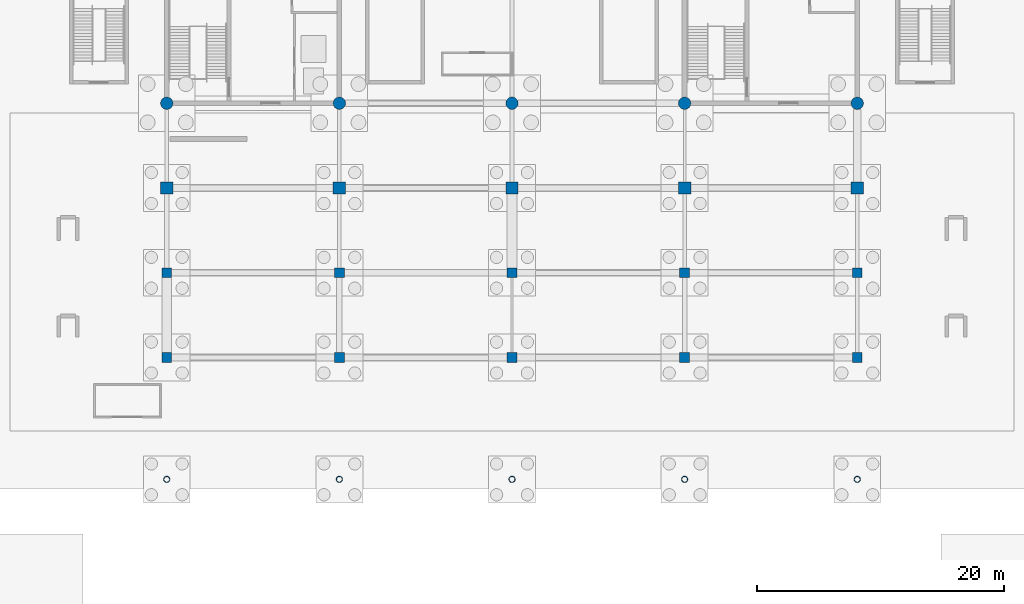
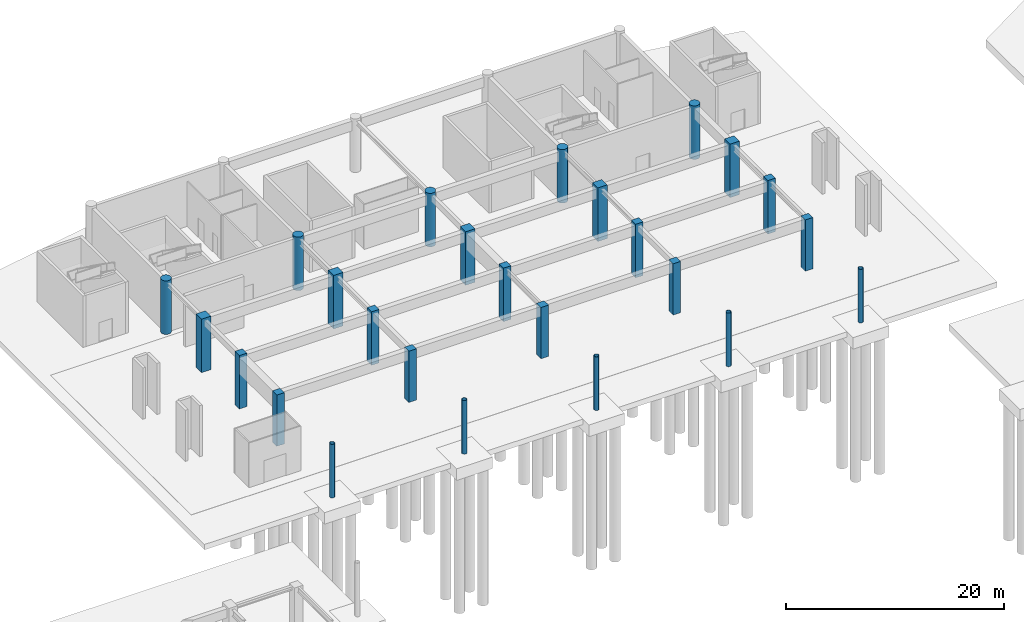
# One storey, part 25 of 62: 25 columns.
"""IFC4 building model written with IfcOpenShell, lengths in metres."""

from ifc_helpers import new_model, si_unit, direction, frame, origin, origin_2d, place, context, subcontext, project, spatial, rectangle, circle, hollow_circle, extrude, material, material_profile, profile_set, type_object, element, save


model = new_model("IFC4")

# Units and contexts
model_context = context("Model", 3, precision=1e-05, world=origin(), true_north=direction((0.0, 1.0)))
body_context = subcontext(model_context, "Body", "Model", "MODEL_VIEW")
ifc_project = project(units=[si_unit("LENGTHUNIT", "METRE"), si_unit("AREAUNIT", "SQUARE_METRE"), si_unit("VOLUMEUNIT", "CUBIC_METRE"), si_unit("PLANEANGLEUNIT", "RADIAN"), si_unit("MASSUNIT", "GRAM", prefix="KILO")], contexts=[model_context])

# Site, building, storey
site_placement = place(None, origin())
site = spatial("IfcSite", under=ifc_project, at=site_placement, CompositionType="ELEMENT")
building_placement = place(site_placement, origin())
building = spatial("IfcBuilding", under=site, at=building_placement, Name="Linyun Crest Stadium", CompositionType="ELEMENT")
storey_placement = place(building_placement, frame((0.0, 0.0, -6.0)))
storey = spatial("IfcBuildingStorey", under=building, at=storey_placement, Name="B1", CompositionType="ELEMENT", Elevation=-6.0)

# Columns
ifc_material_1 = material(Name="Concrete C50", Category="concrete")
ifc_material_profile_1 = material_profile(ifc_material_1, rectangle(XDim=0.800048828125, YDim=0.800048828125, at=origin_2d()), Name="RC 800x800")
ifc_profile_set_1 = profile_set([ifc_material_profile_1], Name="Concrete C50")
column_type_1 = type_object("IfcColumnType", Name="C03", PredefinedType="COLUMN", material=ifc_profile_set_1)
column_1_placement = place(storey_placement, frame((-28.0, 70.875, 0.0), z_axis=(0.0, 0.0, 1.0), x_axis=(1.0, 0.0, 0.0)))
element("IfcColumn", 1, at=column_1_placement, inside=storey, type_object=column_type_1, Name="Column C03 B1 569", PredefinedType="COLUMN", context=body_context, shape_type="SweptSolid", body=[
    extrude(rectangle(XDim=0.800048828125, YDim=0.800048828125, at=origin_2d()), origin(), (0.0, 0.0, 1.0), 5.75),
])
column_2_placement = place(storey_placement, frame((-28.0, 77.75, 0.0), z_axis=(0.0, 0.0, 1.0), x_axis=(1.0, 0.0, 0.0)))
element("IfcColumn", 2, at=column_2_placement, inside=storey, type_object=column_type_1, Name="Column C03 B1 570", PredefinedType="COLUMN", context=body_context, shape_type="SweptSolid", body=[
    extrude(rectangle(XDim=0.800048828125, YDim=0.800048828125, at=origin_2d()), origin(), (0.0, 0.0, 1.0), 5.998046875),
])
column_3_placement = place(storey_placement, frame((-14.0, 70.875, 0.0), z_axis=(0.0, 0.0, 1.0), x_axis=(1.0, 0.0, 0.0)))
element("IfcColumn", 3, at=column_3_placement, inside=storey, type_object=column_type_1, Name="Column C03 B1 590", PredefinedType="COLUMN", context=body_context, shape_type="SweptSolid", body=[
    extrude(rectangle(XDim=0.800048828125, YDim=0.800048828125, at=origin_2d()), origin(), (0.0, 0.0, 1.0), 5.75),
])
column_4_placement = place(storey_placement, frame((-14.0, 77.75, 0.0), z_axis=(0.0, 0.0, 1.0), x_axis=(1.0, 0.0, 0.0)))
element("IfcColumn", 4, at=column_4_placement, inside=storey, type_object=column_type_1, Name="Column C03 B1 591", PredefinedType="COLUMN", context=body_context, shape_type="SweptSolid", body=[
    extrude(rectangle(XDim=0.800048828125, YDim=0.800048828125, at=origin_2d()), origin(), (0.0, 0.0, 1.0), 5.998046875),
])
column_5_placement = place(storey_placement, frame((0.0, 70.875, 0.0), z_axis=(0.0, 0.0, 1.0), x_axis=(1.0, 0.0, 0.0)))
element("IfcColumn", 5, at=column_5_placement, inside=storey, type_object=column_type_1, Name="Column C03 B1 611", PredefinedType="COLUMN", context=body_context, shape_type="SweptSolid", body=[
    extrude(rectangle(XDim=0.800048828125, YDim=0.800048828125, at=origin_2d()), origin(), (0.0, 0.0, 1.0), 5.75),
])
column_6_placement = place(storey_placement, frame((0.0, 77.75, 0.0), z_axis=(0.0, 0.0, 1.0), x_axis=(1.0, 0.0, 0.0)))
element("IfcColumn", 6, at=column_6_placement, inside=storey, type_object=column_type_1, Name="Column C03 B1 612", PredefinedType="COLUMN", context=body_context, shape_type="SweptSolid", body=[
    extrude(rectangle(XDim=0.800048828125, YDim=0.800048828125, at=origin_2d()), origin(), (0.0, 0.0, 1.0), 5.998046875),
])
column_7_placement = place(storey_placement, frame((14.0, 70.875, 0.0), z_axis=(0.0, 0.0, 1.0), x_axis=(1.0, 0.0, 0.0)))
element("IfcColumn", 7, at=column_7_placement, inside=storey, type_object=column_type_1, Name="Column C03 B1 632", PredefinedType="COLUMN", context=body_context, shape_type="SweptSolid", body=[
    extrude(rectangle(XDim=0.800048828125, YDim=0.800048828125, at=origin_2d()), origin(), (0.0, 0.0, 1.0), 5.75),
])
column_8_placement = place(storey_placement, frame((14.0, 77.75, 0.0), z_axis=(0.0, 0.0, 1.0), x_axis=(1.0, 0.0, 0.0)))
element("IfcColumn", 8, at=column_8_placement, inside=storey, type_object=column_type_1, Name="Column C03 B1 633", PredefinedType="COLUMN", context=body_context, shape_type="SweptSolid", body=[
    extrude(rectangle(XDim=0.800048828125, YDim=0.800048828125, at=origin_2d()), origin(), (0.0, 0.0, 1.0), 5.998046875),
])
column_9_placement = place(storey_placement, frame((28.0, 70.875, 0.0), z_axis=(0.0, 0.0, 1.0), x_axis=(1.0, 0.0, 0.0)))
element("IfcColumn", 9, at=column_9_placement, inside=storey, type_object=column_type_1, Name="Column C03 B1 653", PredefinedType="COLUMN", context=body_context, shape_type="SweptSolid", body=[
    extrude(rectangle(XDim=0.800048828125, YDim=0.800048828125, at=origin_2d()), origin(), (0.0, 0.0, 1.0), 5.75),
])
column_10_placement = place(storey_placement, frame((28.0, 77.75, 0.0), z_axis=(0.0, 0.0, 1.0), x_axis=(1.0, 0.0, 0.0)))
element("IfcColumn", 10, at=column_10_placement, inside=storey, type_object=column_type_1, Name="Column C03 B1 654", PredefinedType="COLUMN", context=body_context, shape_type="SweptSolid", body=[
    extrude(rectangle(XDim=0.800048828125, YDim=0.800048828125, at=origin_2d()), origin(), (0.0, 0.0, 1.0), 5.998046875),
])
ifc_material_2 = material(Name="Concrete C50", Category="concrete")
ifc_material_profile_2 = material_profile(ifc_material_2, rectangle(XDim=1.0, YDim=1.0, at=origin_2d()), Name="RC 1000x1000")
ifc_profile_set_2 = profile_set([ifc_material_profile_2], Name="Concrete C50")
column_type_2 = type_object("IfcColumnType", Name="C05", PredefinedType="COLUMN", material=ifc_profile_set_2)
for number, where, z_axis, x_axis, name in (
    (11, (-28.0, 84.625, 0.0), (0.0, 0.0, 1.0), (1.0, 0.0, 0.0), "Column C05 B1 572"),
    (12, (-14.0, 84.625, 0.0), (0.0, 0.0, 1.0), (1.0, 0.0, 0.0), "Column C05 B1 593"),
    (13, (0.0, 84.625, 0.0), (0.0, 0.0, 1.0), (1.0, 0.0, 0.0), "Column C05 B1 614"),
    (14, (14.0, 84.625, 0.0), (0.0, 0.0, 1.0), (1.0, 0.0, 0.0), "Column C05 B1 635"),
    (15, (28.0, 84.625, 0.0), (0.0, 0.0, 1.0), (1.0, 0.0, 0.0), "Column C05 B1 656"),
):
    element("IfcColumn", number, at=place(storey_placement, frame(where, z_axis=z_axis, x_axis=x_axis)), inside=storey, type_object=column_type_2, Name=name, PredefinedType="COLUMN", context=body_context, shape_type="SweptSolid", body=[
        extrude(rectangle(XDim=1.0, YDim=1.0, at=origin_2d()), origin(), (0.0, 0.0, 1.0), 5.998046875),
    ])
ifc_material_3 = material(Name="Concrete C50", Category="concrete")
ifc_material_profile_3 = material_profile(ifc_material_3, circle(Radius=0.5, at=origin_2d()), Name="RC D1000")
ifc_profile_set_3 = profile_set([ifc_material_profile_3], Name="Concrete C50")
column_type_3 = type_object("IfcColumnType", Name="C09", PredefinedType="COLUMN", material=ifc_profile_set_3)
for number, where, z_axis, x_axis, name in (
    (16, (-28.0, 91.5, 0.0), (0.0, 0.0, 1.0), (1.0, 0.0, 0.0), "Column C09 B1 578"),
    (17, (-14.0, 91.5, 0.0), (0.0, 0.0, 1.0), (1.0, 0.0, 0.0), "Column C09 B1 599"),
    (18, (0.0, 91.5, 0.0), (0.0, 0.0, 1.0), (1.0, 0.0, 0.0), "Column C09 B1 620"),
    (19, (14.0, 91.5, 0.0), (0.0, 0.0, 1.0), (1.0, 0.0, 0.0), "Column C09 B1 641"),
    (20, (28.0, 91.5, 0.0), (0.0, 0.0, 1.0), (1.0, 0.0, 0.0), "Column C09 B1 662"),
):
    element("IfcColumn", number, at=place(storey_placement, frame(where, z_axis=z_axis, x_axis=x_axis)), inside=storey, type_object=column_type_3, Name=name, PredefinedType="COLUMN", context=body_context, shape_type="SweptSolid", body=[
        extrude(circle(Radius=0.5, at=origin_2d()), origin(), (0.0, 0.0, 1.0), 5.998046875),
    ])
ifc_material_4 = material(Name="Steel Q355C", Category="steel")
ifc_material_profile_4 = material_profile(ifc_material_4, hollow_circle(Radius=0.25390625, WallThickness=0.02490234375, at=origin_2d()), Name="CHS 508x25")
ifc_profile_set_4 = profile_set([ifc_material_profile_4], Name="Steel Q355C")
column_type_4 = type_object("IfcColumnType", Name="SC05", PredefinedType="COLUMN", material=ifc_profile_set_4)
for number, where, z_axis, x_axis, name in (
    (21, (-28.0, 61.0, 0.0), (0.0, 0.0, 1.0), (1.0, 0.0, 0.0), "Arch colonnade column SC05 B1 34"),
    (22, (-14.0, 61.0, 0.0), (0.0, 0.0, 1.0), (1.0, 0.0, 0.0), "Arch colonnade column SC05 B1 36"),
    (23, (0.0, 61.0, 0.0), (0.0, 0.0, 1.0), (1.0, 0.0, 0.0), "Arch colonnade column SC05 B1 38"),
    (24, (14.0, 61.0, 0.0), (0.0, 0.0, 1.0), (1.0, 0.0, 0.0), "Arch colonnade column SC05 B1 40"),
    (25, (28.0, 61.0, 0.0), (0.0, 0.0, 1.0), (1.0, 0.0, 0.0), "Arch colonnade column SC05 B1 42"),
):
    element("IfcColumn", number, at=place(storey_placement, frame(where, z_axis=z_axis, x_axis=x_axis)), inside=storey, type_object=column_type_4, Name=name, PredefinedType="COLUMN", context=body_context, shape_type="SweptSolid", body=[
        extrude(hollow_circle(Radius=0.25390625, WallThickness=0.02490234375, at=origin_2d()), origin(), (0.0, 0.0, 1.0), 6.0),
    ])

save(model, "model.ifc")
